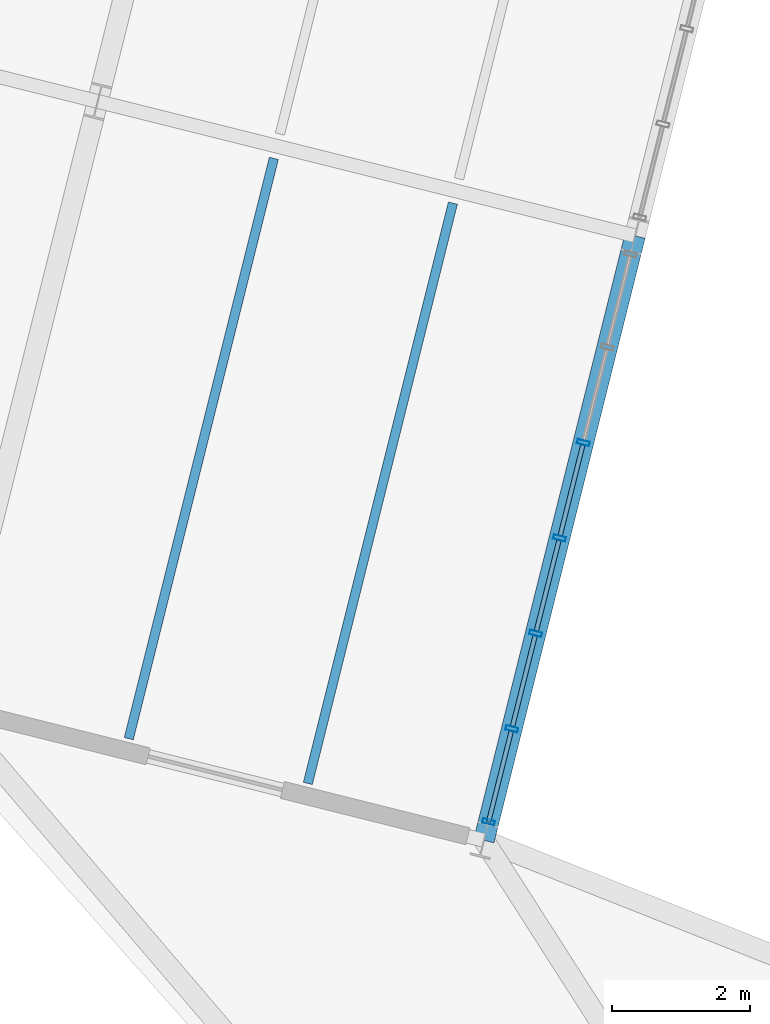
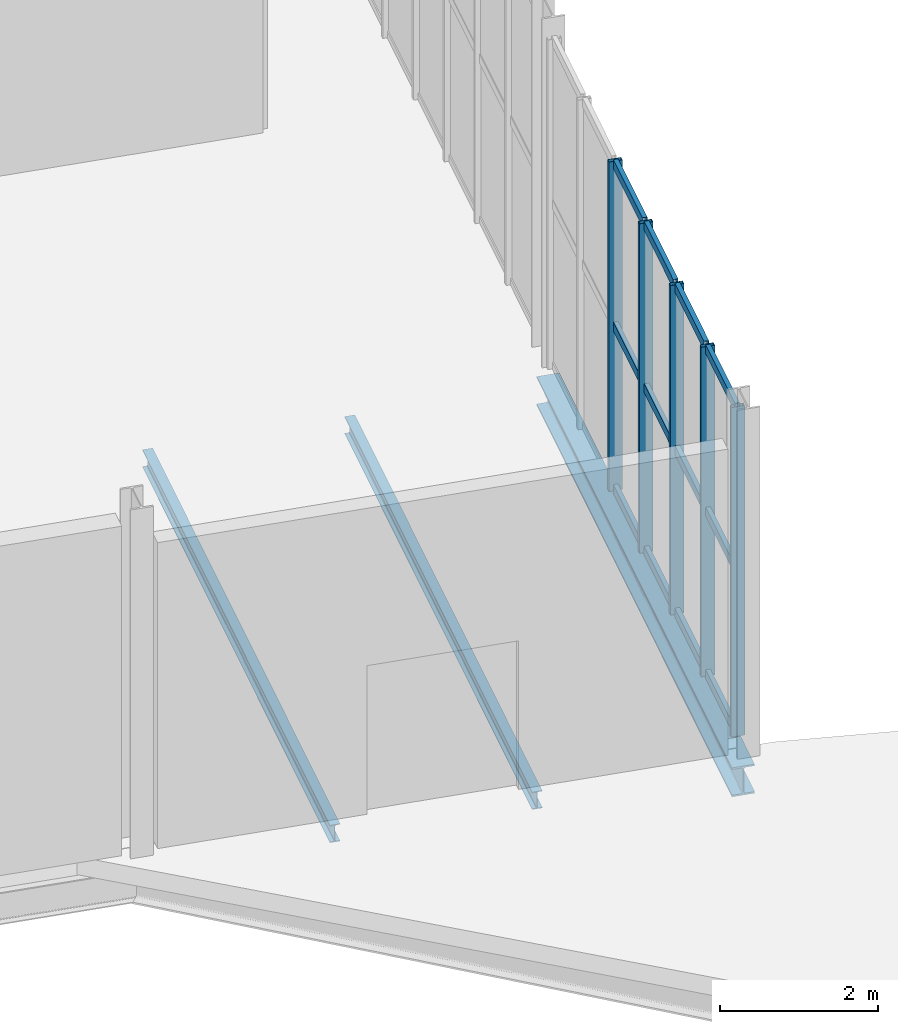
# One storey, part 95 of 158: 17 members, 3 beams, 1 element without a shape of its own.
"""IFC4 building model written with IfcOpenShell, lengths in metres."""

from ifc_helpers import new_model, si_unit, derived_unit, direction, frame, origin, origin_2d, place, context, subcontext, project, spatial, hollow_rectangle, i_section, extrude, material, material_profile, profile_set, type_object, element, aggregate, save


model = new_model("IFC4")

# Units and contexts
model_context = context("Model", 3, precision=1e-05, world=origin(), true_north=direction((0.0, 1.0)))
body_context = subcontext(model_context, "Body", "Model", "MODEL_VIEW")
ifc_project = project(units=[si_unit("LENGTHUNIT", "METRE"), si_unit("AREAUNIT", "SQUARE_METRE"), si_unit("VOLUMEUNIT", "CUBIC_METRE"), si_unit("PLANEANGLEUNIT", "RADIAN"), si_unit("MASSUNIT", "GRAM", prefix="KILO"), si_unit("THERMODYNAMICTEMPERATUREUNIT", "KELVIN"), si_unit("TIMEUNIT", "SECOND"), derived_unit("THERMALTRANSMITTANCEUNIT", [(si_unit("MASSUNIT", "GRAM", prefix="KILO"), 1), (si_unit("THERMODYNAMICTEMPERATUREUNIT", "KELVIN"), -1), (si_unit("TIMEUNIT", "SECOND"), -3)])], contexts=[model_context])

# Site, building, storey
site_placement = place(None, origin())
site = spatial("IfcSite", under=ifc_project, at=site_placement, CompositionType="ELEMENT")
building_placement = place(site_placement, origin())
building = spatial("IfcBuilding", under=site, at=building_placement, Name="Cambertide Market Hall", CompositionType="ELEMENT")
storey_placement = place(building_placement, origin())
storey = spatial("IfcBuildingStorey", under=building, at=storey_placement, Name="L01", CompositionType="ELEMENT", Elevation=0.0)

# Curtain wall, members
ifc_material_1 = material(Name="Marine Anodized Aluminium 6063-T6 AA25", Category="aluminium")
curtain_wall_type = type_object("IfcCurtainWallType", Name="Cooking School Ground Showcase Wall", PredefinedType="USERDEFINED", material=ifc_material_1)
curtain_wall_placement = place(storey_placement, origin())
curtain_wall = element("IfcCurtainWall", 1, at=curtain_wall_placement, inside=storey, type_object=curtain_wall_type, Name="Level 1 Curtain Wall CW-V4E-L01-1", ObjectType="UNITIZED CURTAIN WALL", PredefinedType="USERDEFINED")
ifc_material_2 = material(Name="Champagne Marine Anodized Aluminium 6063-T6 AA25", Category="aluminium")
ifc_material_profile_1 = material_profile(ifc_material_2, hollow_rectangle(XDim=0.06494140625, YDim=0.179931640625, WallThickness=0.00390625, at=origin_2d()), Name="ALU MULLION 65x180")
ifc_profile_set_1 = profile_set([ifc_material_profile_1], Name="Champagne Marine Anodized Aluminium 6063-T6 AA25")
member_type_1 = type_object("IfcMemberType", Name="Curtain Wall Mullion ALU MULLION 65x180", PredefinedType="MULLION", material=ifc_profile_set_1)
member_1_placement = place(storey_placement, frame((171.52490234375, 90.220947265625, 0.0), z_axis=(0.0, 0.0, 1.0), x_axis=(-0.242535569805, -0.970142513953, 0.0)))
member_1 = element("IfcMember", 2, at=member_1_placement, type_object=member_type_1, Name="CW-V4E-L01-1 Mullion 3", PredefinedType="MULLION", context=body_context, shape_type="SweptSolid", body=[
    extrude(hollow_rectangle(XDim=0.06494140625, YDim=0.179931640625, WallThickness=0.00390625, at=origin_2d()), origin(), (0.0, 0.0, 1.0), 5.10009765625),
])
member_2_placement = place(storey_placement, frame((171.180419921875, 88.84326171875, 0.0), z_axis=(0.0, 0.0, 1.0), x_axis=(-0.242535569805, -0.970142513953, 0.0)))
member_2 = element("IfcMember", 3, at=member_2_placement, type_object=member_type_1, Name="CW-V4E-L01-1 Mullion 4", PredefinedType="MULLION", context=body_context, shape_type="SweptSolid", body=[
    extrude(hollow_rectangle(XDim=0.06494140625, YDim=0.179931640625, WallThickness=0.00390625, at=origin_2d()), origin(), (0.0, 0.0, 1.0), 5.10009765625),
])
member_3_placement = place(storey_placement, frame((170.836181640625, 87.4658203125, 0.0), z_axis=(0.0, 0.0, 1.0), x_axis=(-0.242535569805, -0.970142513953, 0.0)))
member_3 = element("IfcMember", 4, at=member_3_placement, type_object=member_type_1, Name="CW-V4E-L01-1 Mullion 5", PredefinedType="MULLION", context=body_context, shape_type="SweptSolid", body=[
    extrude(hollow_rectangle(XDim=0.06494140625, YDim=0.179931640625, WallThickness=0.00390625, at=origin_2d()), origin(), (0.0, 0.0, 1.0), 5.10009765625),
])
member_4_placement = place(storey_placement, frame((170.49169921875, 86.088134765625, 0.0), z_axis=(0.0, 0.0, 1.0), x_axis=(-0.242535569805, -0.970142513953, 0.0)))
member_4 = element("IfcMember", 5, at=member_4_placement, type_object=member_type_1, Name="CW-V4E-L01-1 Mullion 6", PredefinedType="MULLION", context=body_context, shape_type="SweptSolid", body=[
    extrude(hollow_rectangle(XDim=0.06494140625, YDim=0.179931640625, WallThickness=0.00390625, at=origin_2d()), origin(), (0.0, 0.0, 1.0), 5.10009765625),
])
member_5_placement = place(storey_placement, frame((170.15576171875, 84.74462890625, 0.0), z_axis=(0.0, 0.0, 1.0), x_axis=(-0.242535569805, -0.970142513953, 0.0)))
member_5 = element("IfcMember", 6, at=member_5_placement, type_object=member_type_1, Name="CW-V4E-L01-1 Mullion 7", PredefinedType="MULLION", context=body_context, shape_type="SweptSolid", body=[
    extrude(hollow_rectangle(XDim=0.06494140625, YDim=0.179931640625, WallThickness=0.00390625, at=origin_2d()), origin(), (0.0, 0.0, 1.0), 5.10009765625),
])
ifc_material_3 = material(Name="Champagne Marine Anodized Aluminium 6063-T6 AA25", Category="aluminium")
ifc_material_profile_2 = material_profile(ifc_material_3, hollow_rectangle(XDim=0.06494140625, YDim=0.139892578125, WallThickness=0.00341796875, at=origin_2d()), Name="ALU TRANSOM 65x140")
ifc_profile_set_2 = profile_set([ifc_material_profile_2], Name="Champagne Marine Anodized Aluminium 6063-T6 AA25")
member_type_2 = type_object("IfcMemberType", Name="Curtain Wall Transom ALU TRANSOM 65x140", PredefinedType="USERDEFINED", material=ifc_profile_set_2)
member_6_placement = place(storey_placement, frame((171.51513671875, 90.18212890625, 0.034912109375), z_axis=(-0.242492756941, -0.970153216163, 0.0), x_axis=(0.970153216163, -0.242492756941, 0.0)))
member_6 = element("IfcMember", 7, at=member_6_placement, type_object=member_type_2, Name="CW-V4E-L01-1 Transom 1-3", ObjectType="TRANSOM", PredefinedType="USERDEFINED", context=body_context, shape_type="SweptSolid", body=[
    extrude(hollow_rectangle(XDim=0.06494140625, YDim=0.139892578125, WallThickness=0.00341796875, at=origin_2d()), origin(), (0.0, 0.0, 1.0), 1.340087890625),
])
member_7_placement = place(storey_placement, frame((171.1708984375, 88.804443359375, 0.034912109375), z_axis=(-0.242535625036, -0.970142500145, 0.0), x_axis=(0.970142500145, -0.242535625036, 0.0)))
member_7 = element("IfcMember", 8, at=member_7_placement, type_object=member_type_2, Name="CW-V4E-L01-1 Transom 1-4", ObjectType="TRANSOM", PredefinedType="USERDEFINED", context=body_context, shape_type="SweptSolid", body=[
    extrude(hollow_rectangle(XDim=0.06494140625, YDim=0.139892578125, WallThickness=0.00341796875, at=origin_2d()), origin(), (0.0, 0.0, 1.0), 1.33984375),
])
member_8_placement = place(storey_placement, frame((170.826416015625, 87.427001953125, 0.034912109375), z_axis=(-0.242492756941, -0.970153216163, 0.0), x_axis=(0.970153216163, -0.242492756941, 0.0)))
member_8 = element("IfcMember", 9, at=member_8_placement, type_object=member_type_2, Name="CW-V4E-L01-1 Transom 1-5", ObjectType="TRANSOM", PredefinedType="USERDEFINED", context=body_context, shape_type="SweptSolid", body=[
    extrude(hollow_rectangle(XDim=0.06494140625, YDim=0.139892578125, WallThickness=0.00341796875, at=origin_2d()), origin(), (0.0, 0.0, 1.0), 1.340087890625),
])
member_9_placement = place(storey_placement, frame((170.48193359375, 86.04931640625, 0.034912109375), z_axis=(-0.242492756941, -0.970153216163, 0.0), x_axis=(0.970153216163, -0.242492756941, 0.0)))
member_9 = element("IfcMember", 10, at=member_9_placement, type_object=member_type_2, Name="CW-V4E-L01-1 Transom 1-6", ObjectType="TRANSOM", PredefinedType="USERDEFINED", context=body_context, shape_type="SweptSolid", body=[
    extrude(hollow_rectangle(XDim=0.06494140625, YDim=0.139892578125, WallThickness=0.00341796875, at=origin_2d()), origin(), (0.0, 0.0, 1.0), 1.340087890625),
])
member_10_placement = place(storey_placement, frame((171.51513671875, 90.18212890625, 2.550048828125), z_axis=(-0.242492756941, -0.970153216163, 0.0), x_axis=(0.970153216163, -0.242492756941, 0.0)))
member_10 = element("IfcMember", 11, at=member_10_placement, type_object=member_type_2, Name="CW-V4E-L01-1 Transom 2-3", ObjectType="TRANSOM", PredefinedType="USERDEFINED", context=body_context, shape_type="SweptSolid", body=[
    extrude(hollow_rectangle(XDim=0.06494140625, YDim=0.139892578125, WallThickness=0.00341796875, at=origin_2d()), origin(), (0.0, 0.0, 1.0), 1.340087890625),
])
member_11_placement = place(storey_placement, frame((171.1708984375, 88.804443359375, 2.550048828125), z_axis=(-0.242535625036, -0.970142500145, 0.0), x_axis=(0.970142500145, -0.242535625036, 0.0)))
member_11 = element("IfcMember", 12, at=member_11_placement, type_object=member_type_2, Name="CW-V4E-L01-1 Transom 2-4", ObjectType="TRANSOM", PredefinedType="USERDEFINED", context=body_context, shape_type="SweptSolid", body=[
    extrude(hollow_rectangle(XDim=0.06494140625, YDim=0.139892578125, WallThickness=0.00341796875, at=origin_2d()), origin(), (0.0, 0.0, 1.0), 1.33984375),
])
member_12_placement = place(storey_placement, frame((170.826416015625, 87.427001953125, 2.550048828125), z_axis=(-0.242492756941, -0.970153216163, 0.0), x_axis=(0.970153216163, -0.242492756941, 0.0)))
member_12 = element("IfcMember", 13, at=member_12_placement, type_object=member_type_2, Name="CW-V4E-L01-1 Transom 2-5", ObjectType="TRANSOM", PredefinedType="USERDEFINED", context=body_context, shape_type="SweptSolid", body=[
    extrude(hollow_rectangle(XDim=0.06494140625, YDim=0.139892578125, WallThickness=0.00341796875, at=origin_2d()), origin(), (0.0, 0.0, 1.0), 1.340087890625),
])
member_13_placement = place(storey_placement, frame((170.48193359375, 86.04931640625, 2.550048828125), z_axis=(-0.242492756941, -0.970153216163, 0.0), x_axis=(0.970153216163, -0.242492756941, 0.0)))
member_13 = element("IfcMember", 14, at=member_13_placement, type_object=member_type_2, Name="CW-V4E-L01-1 Transom 2-6", ObjectType="TRANSOM", PredefinedType="USERDEFINED", context=body_context, shape_type="SweptSolid", body=[
    extrude(hollow_rectangle(XDim=0.06494140625, YDim=0.139892578125, WallThickness=0.00341796875, at=origin_2d()), origin(), (0.0, 0.0, 1.0), 1.340087890625),
])
member_14_placement = place(storey_placement, frame((171.51513671875, 90.18212890625, 5.06494140625), z_axis=(-0.242492756941, -0.970153216163, 0.0), x_axis=(0.970153216163, -0.242492756941, 0.0)))
member_14 = element("IfcMember", 15, at=member_14_placement, type_object=member_type_2, Name="CW-V4E-L01-1 Transom 3-3", ObjectType="TRANSOM", PredefinedType="USERDEFINED", context=body_context, shape_type="SweptSolid", body=[
    extrude(hollow_rectangle(XDim=0.06494140625, YDim=0.139892578125, WallThickness=0.00341796875, at=origin_2d()), origin(), (0.0, 0.0, 1.0), 1.340087890625),
])
member_15_placement = place(storey_placement, frame((171.1708984375, 88.804443359375, 5.06494140625), z_axis=(-0.242535625036, -0.970142500145, 0.0), x_axis=(0.970142500145, -0.242535625036, 0.0)))
member_15 = element("IfcMember", 16, at=member_15_placement, type_object=member_type_2, Name="CW-V4E-L01-1 Transom 3-4", ObjectType="TRANSOM", PredefinedType="USERDEFINED", context=body_context, shape_type="SweptSolid", body=[
    extrude(hollow_rectangle(XDim=0.06494140625, YDim=0.139892578125, WallThickness=0.00341796875, at=origin_2d()), origin(), (0.0, 0.0, 1.0), 1.33984375),
])
member_16_placement = place(storey_placement, frame((170.826416015625, 87.427001953125, 5.06494140625), z_axis=(-0.242492756941, -0.970153216163, 0.0), x_axis=(0.970153216163, -0.242492756941, 0.0)))
member_16 = element("IfcMember", 17, at=member_16_placement, type_object=member_type_2, Name="CW-V4E-L01-1 Transom 3-5", ObjectType="TRANSOM", PredefinedType="USERDEFINED", context=body_context, shape_type="SweptSolid", body=[
    extrude(hollow_rectangle(XDim=0.06494140625, YDim=0.139892578125, WallThickness=0.00341796875, at=origin_2d()), origin(), (0.0, 0.0, 1.0), 1.340087890625),
])
member_17_placement = place(storey_placement, frame((170.48193359375, 86.04931640625, 5.06494140625), z_axis=(-0.242492756941, -0.970153216163, 0.0), x_axis=(0.970153216163, -0.242492756941, 0.0)))
member_17 = element("IfcMember", 18, at=member_17_placement, type_object=member_type_2, Name="CW-V4E-L01-1 Transom 3-6", ObjectType="TRANSOM", PredefinedType="USERDEFINED", context=body_context, shape_type="SweptSolid", body=[
    extrude(hollow_rectangle(XDim=0.06494140625, YDim=0.139892578125, WallThickness=0.00341796875, at=origin_2d()), origin(), (0.0, 0.0, 1.0), 1.340087890625),
])
aggregate(curtain_wall, [member_1, member_2, member_3, member_4, member_5, member_6, member_7, member_8, member_9, member_10, member_11, member_12, member_13, member_14, member_15, member_16, member_17])

# Beams
ifc_material_4 = material(Name="Steel S355", Category="steel")
ifc_material_profile_3 = material_profile(ifc_material_4, i_section(OverallWidth=0.300048828125, OverallDepth=0.449951171875, WebThickness=0.013916015625, FlangeThickness=0.02587890625, FilletRadius=0.027099609375, at=origin_2d()), Name="HEB 450")
ifc_profile_set_3 = profile_set([ifc_material_profile_3], Name="Steel S355")
beam_type_1 = type_object("IfcBeamType", Name="Steel Girder HEB 450", PredefinedType="BEAM", material=ifc_profile_set_3)
beam_placement = place(storey_placement, frame((170.089111328125, 84.477783203125, -0.52490234375), z_axis=(0.242542007841, 0.970140904422, 0.0), x_axis=(-0.970140904422, 0.242542007841, 0.0)))
element("IfcBeam", 19, at=beam_placement, inside=storey, type_object=beam_type_1, Name="Level 1 Beam BM-V4V-L01-9-1", PredefinedType="BEAM", context=body_context, shape_type="SweptSolid", body=[
    extrude(i_section(OverallWidth=0.300048828125, OverallDepth=0.449951171875, WebThickness=0.013916015625, FlangeThickness=0.02587890625, FilletRadius=0.027099609375, at=origin_2d()), origin(), (0.0, 0.0, 1.0), 9.0),
])
ifc_material_5 = material(Name="Steel S275", Category="steel")
ifc_material_profile_4 = material_profile(ifc_material_5, i_section(OverallWidth=0.135009765625, OverallDepth=0.27001953125, WebThickness=0.006591796875, FlangeThickness=0.01025390625, FilletRadius=0.014892578125, at=origin_2d()), Name="IPE 270")
ifc_profile_set_4 = profile_set([ifc_material_profile_4], Name="Steel S275")
beam_type_2 = type_object("IfcBeamType", Name="Steel Secondary Joist IPE 270", PredefinedType="JOIST", material=ifc_profile_set_4)
for number, where, z_axis, x_axis, name in (
    (20, (164.958740234375, 85.94580078125, -0.43505859375), (0.242528976348, 0.970144162293, 0.0), (-0.970144162293, 0.242528976348, 0.0), "Level 1 Joist JS-V4-L01-8-1-1"),
    (21, (167.545654296875, 85.299072265625, -0.43505859375), (0.242555570896, 0.970137513463, 0.0), (-0.970137513463, 0.242555570896, 0.0), "Level 1 Joist JS-V4-L01-8-1-2"),
):
    element("IfcBeam", number, at=place(storey_placement, frame(where, z_axis=z_axis, x_axis=x_axis)), inside=storey, type_object=beam_type_2, Name=name, PredefinedType="JOIST", context=body_context, shape_type="SweptSolid", body=[
        extrude(i_section(OverallWidth=0.135009765625, OverallDepth=0.27001953125, WebThickness=0.006591796875, FlangeThickness=0.01025390625, FilletRadius=0.014892578125, at=origin_2d()), origin(), (0.0, 0.0, 1.0), 8.64013671875),
    ])

save(model, "model.ifc")
